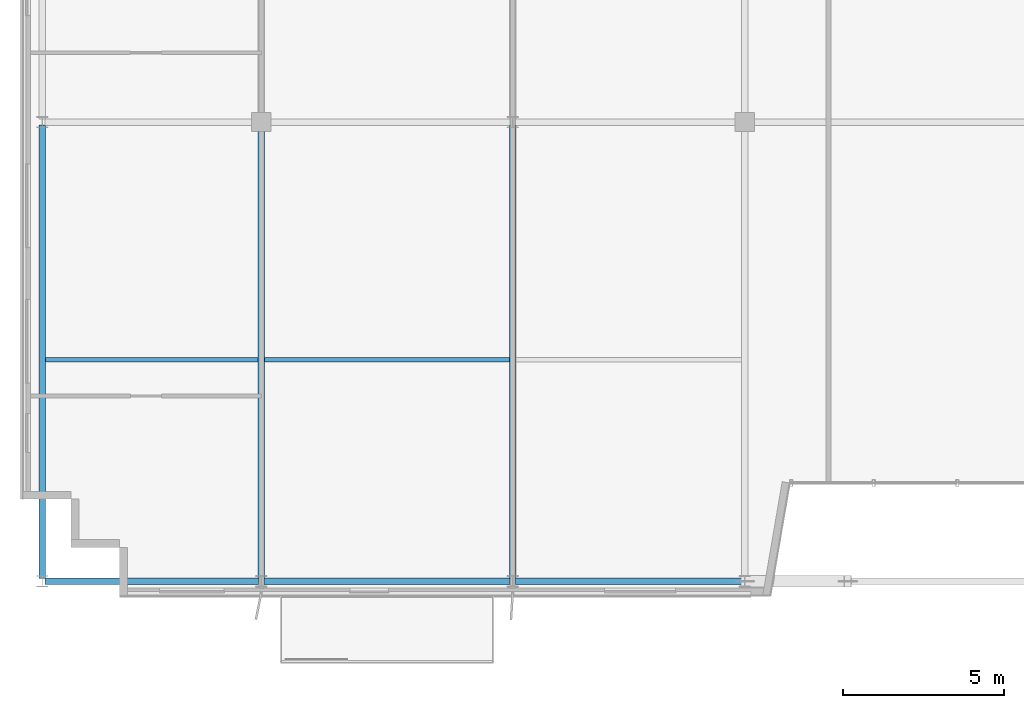
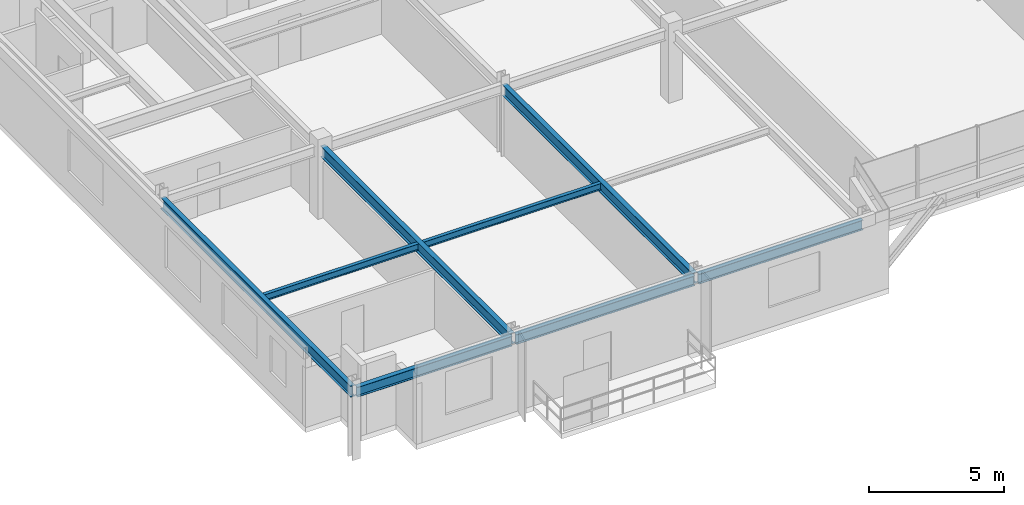
# One storey, part 5 of 26: 8 beams.
"""IFC4 building model written with IfcOpenShell, lengths in metres."""

from ifc_helpers import new_model, si_unit, direction, frame, origin, origin_2d, place, context, subcontext, project, spatial, i_section, extrude, source, transform, mapped, material, material_profile, profile_set, type_object, element, save


model = new_model("IFC4")

# Units and contexts
model_context = context("Model", 3, precision=1e-05, world=origin(), true_north=direction((0.0, 1.0)))
body_context = subcontext(model_context, "Body", "Model", "MODEL_VIEW")
ifc_project = project(units=[si_unit("LENGTHUNIT", "METRE"), si_unit("AREAUNIT", "SQUARE_METRE"), si_unit("VOLUMEUNIT", "CUBIC_METRE"), si_unit("PLANEANGLEUNIT", "RADIAN"), si_unit("MASSUNIT", "GRAM", prefix="KILO")], contexts=[model_context])

# Site, building, storey
site_placement = place(None, origin())
site = spatial("IfcSite", under=ifc_project, at=site_placement, CompositionType="ELEMENT")
building_placement = place(site_placement, origin())
building = spatial("IfcBuilding", under=site, at=building_placement, Name="Trelvane Seafront Commons", CompositionType="ELEMENT")
storey_placement = place(building_placement, frame((0.0, 0.0, 291.89990234375)))
storey = spatial("IfcBuildingStorey", under=building, at=storey_placement, Name="L76", CompositionType="ELEMENT", Elevation=291.89990234375)

# Beams
ifc_material = material(Name="Steel SM355 (S355)", Category="steel")
ifc_material_profile_1 = material_profile(ifc_material, i_section(OverallWidth=0.199951171875, OverallDepth=0.449951171875, WebThickness=0.009033203125, FlangeThickness=0.013916015625, at=origin_2d()), Name="H-450x200x9x14")
ifc_profile_set_1 = profile_set([ifc_material_profile_1], Name="Steel SM355 (S355)")
beam_type_1 = type_object("IfcBeamType", Name="STR-SPD-H450", PredefinedType="SPANDREL", material=ifc_profile_set_1)
shared_shape_1 = source(origin(), body_context, "Body", "SweptSolid", [
    extrude(i_section(OverallWidth=0.199951171875, OverallDepth=0.449951171875, WebThickness=0.009033203125, FlangeThickness=0.013916015625, at=origin_2d()), origin(), (0.0, 0.0, 1.0), 6.625),
])
beam_1_placement = place(storey_placement, frame((8.887451171875, 3.949951171875, 2.955078125), z_axis=(1.0, 0.0, 0.0), x_axis=(0.0, 1.0, 0.0)))
element("IfcBeam", 1, at=beam_1_placement, inside=storey, type_object=beam_type_1, Name="L76 Primary Girder G-01", PredefinedType="SPANDREL", context=body_context, shape_type="MappedRepresentation", body=[
    mapped(shared_shape_1, transform((0.0, 0.0, 0.0), x_axis=(1.0, 0.0, 0.0), y_axis=(0.0, 1.0, 0.0), z_axis=(0.0, 0.0, 1.0), scale=1.0)),
])
shared_shape_2 = source(origin(), body_context, "Body", "SweptSolid", [
    extrude(i_section(OverallWidth=0.199951171875, OverallDepth=0.449951171875, WebThickness=0.009033203125, FlangeThickness=0.013916015625, at=origin_2d()), origin(), (0.0, 0.0, 1.0), 7.625),
])
beam_2_placement = place(storey_placement, frame((15.6875, 3.949951171875, 2.955078125), z_axis=(1.0, 0.0, 0.0), x_axis=(0.0, 1.0, 0.0)))
element("IfcBeam", 2, at=beam_2_placement, inside=storey, type_object=beam_type_1, Name="L76 Primary Girder G-02", PredefinedType="SPANDREL", context=body_context, shape_type="MappedRepresentation", body=[
    mapped(shared_shape_2, transform((0.0, 0.0, 0.0), x_axis=(1.0, 0.0, 0.0), y_axis=(0.0, 1.0, 0.0), z_axis=(0.0, 0.0, 1.0), scale=1.0)),
])
shared_shape_3 = source(origin(), body_context, "Body", "SweptSolid", [
    extrude(i_section(OverallWidth=0.199951171875, OverallDepth=0.449951171875, WebThickness=0.009033203125, FlangeThickness=0.013916015625, at=origin_2d()), origin(), (0.0, 0.0, 1.0), 7.02490234375),
])
beam_3_placement = place(storey_placement, frame((23.487548828125, 3.949951171875, 2.955078125), z_axis=(1.0, 0.0, 0.0), x_axis=(0.0, 1.0, 0.0)))
element("IfcBeam", 3, at=beam_3_placement, inside=storey, type_object=beam_type_1, Name="L76 Primary Girder G-03", PredefinedType="SPANDREL", context=body_context, shape_type="MappedRepresentation", body=[
    mapped(shared_shape_3, transform((0.0, 0.0, 0.0), x_axis=(1.0, 0.0, 0.0), y_axis=(0.0, 1.0, 0.0), z_axis=(0.0, 0.0, 1.0), scale=1.0)),
])
ifc_material_profile_2 = material_profile(ifc_material, i_section(OverallWidth=0.199951171875, OverallDepth=0.5, WebThickness=0.010009765625, FlangeThickness=0.01611328125, at=origin_2d()), Name="H-500x200x10x16")
ifc_profile_set_2 = profile_set([ifc_material_profile_2], Name="Steel SM355 (S355)")
beam_type_2 = type_object("IfcBeamType", Name="STR-BM-H500", PredefinedType="BEAM", material=ifc_profile_set_2)
shared_shape_4 = source(origin(), body_context, "Body", "SweptSolid", [
    extrude(i_section(OverallWidth=0.199951171875, OverallDepth=0.5, WebThickness=0.010009765625, FlangeThickness=0.01611328125, at=origin_2d()), origin(), (0.0, 0.0, 1.0), 14.074951171875),
])
for number, where, z_axis, x_axis, name in (
    (4, (8.800048828125, 4.03759765625, 2.93017578125), (0.0, 1.0, 0.0), (-1.0, 0.0, 0.0), "L76 Primary Girder G-29"),
    (5, (23.39990234375, 4.03759765625, 2.93017578125), (0.0, 1.0, 0.0), (-1.0, 0.0, 0.0), "L76 Primary Girder G-35"),
):
    element("IfcBeam", number, at=place(storey_placement, frame(where, z_axis=z_axis, x_axis=x_axis)), inside=storey, type_object=beam_type_2, Name=name, PredefinedType="BEAM", context=body_context, shape_type="MappedRepresentation", body=[
        mapped(shared_shape_4, transform((0.0, 0.0, 0.0), x_axis=(1.0, 0.0, 0.0), y_axis=(0.0, 1.0, 0.0), z_axis=(0.0, 0.0, 1.0), scale=1.0)),
    ])
shared_shape_5 = source(origin(), body_context, "Body", "SweptSolid", [
    extrude(i_section(OverallWidth=0.199951171875, OverallDepth=0.5, WebThickness=0.010009765625, FlangeThickness=0.01611328125, at=origin_2d()), origin(), (0.0, 0.0, 1.0), 14.012451171875),
])
beam_4_placement = place(storey_placement, frame((15.60009765625, 4.03759765625, 2.93017578125), z_axis=(0.0, 1.0, 0.0), x_axis=(-1.0, 0.0, 0.0)))
element("IfcBeam", 6, at=beam_4_placement, inside=storey, type_object=beam_type_2, Name="L76 Primary Girder G-32", PredefinedType="BEAM", context=body_context, shape_type="MappedRepresentation", body=[
    mapped(shared_shape_5, transform((0.0, 0.0, 0.0), x_axis=(1.0, 0.0, 0.0), y_axis=(0.0, 1.0, 0.0), z_axis=(0.0, 0.0, 1.0), scale=1.0)),
])
ifc_material_profile_3 = material_profile(ifc_material, i_section(OverallWidth=0.14990234375, OverallDepth=0.300048828125, WebThickness=0.006591796875, FlangeThickness=0.009033203125, at=origin_2d()), Name="H-300x150x6.5x9")
ifc_profile_set_3 = profile_set([ifc_material_profile_3], Name="Steel SM355 (S355)")
beam_type_3 = type_object("IfcBeamType", Name="STR-JST-H300", PredefinedType="JOIST", material=ifc_profile_set_3)
shared_shape_6 = source(origin(), body_context, "Body", "SweptSolid", [
    extrude(i_section(OverallWidth=0.14990234375, OverallDepth=0.300048828125, WebThickness=0.006591796875, FlangeThickness=0.009033203125, at=origin_2d()), origin(), (0.0, 0.0, 1.0), 6.60009765625),
])
beam_5_placement = place(storey_placement, frame((8.89990234375, 10.824951171875, 3.030029296875), z_axis=(1.0, 0.0, 0.0), x_axis=(0.0, 1.0, 0.0)))
element("IfcBeam", 7, at=beam_5_placement, inside=storey, type_object=beam_type_3, Name="L76 Secondary Floor Joist B-53", PredefinedType="JOIST", context=body_context, shape_type="MappedRepresentation", body=[
    mapped(shared_shape_6, transform((0.0, 0.0, 0.0), x_axis=(1.0, 0.0, 0.0), y_axis=(0.0, 1.0, 0.0), z_axis=(0.0, 0.0, 1.0), scale=1.0)),
])
shared_shape_7 = source(origin(), body_context, "Body", "SweptSolid", [
    extrude(i_section(OverallWidth=0.14990234375, OverallDepth=0.300048828125, WebThickness=0.006591796875, FlangeThickness=0.009033203125, at=origin_2d()), origin(), (0.0, 0.0, 1.0), 7.60009765625),
])
beam_6_placement = place(storey_placement, frame((15.699951171875, 10.824951171875, 3.030029296875), z_axis=(1.0, 0.0, 0.0), x_axis=(0.0, 1.0, 0.0)))
element("IfcBeam", 8, at=beam_6_placement, inside=storey, type_object=beam_type_3, Name="L76 Secondary Floor Joist B-54", PredefinedType="JOIST", context=body_context, shape_type="MappedRepresentation", body=[
    mapped(shared_shape_7, transform((0.0, 0.0, 0.0), x_axis=(1.0, 0.0, 0.0), y_axis=(0.0, 1.0, 0.0), z_axis=(0.0, 0.0, 1.0), scale=1.0)),
])

save(model, "model.ifc")
